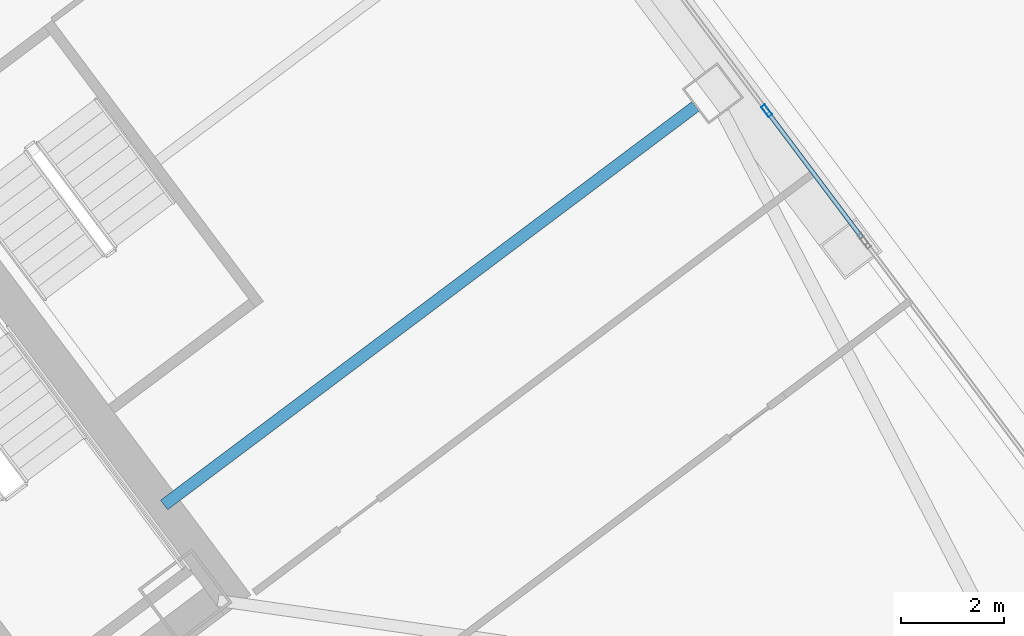
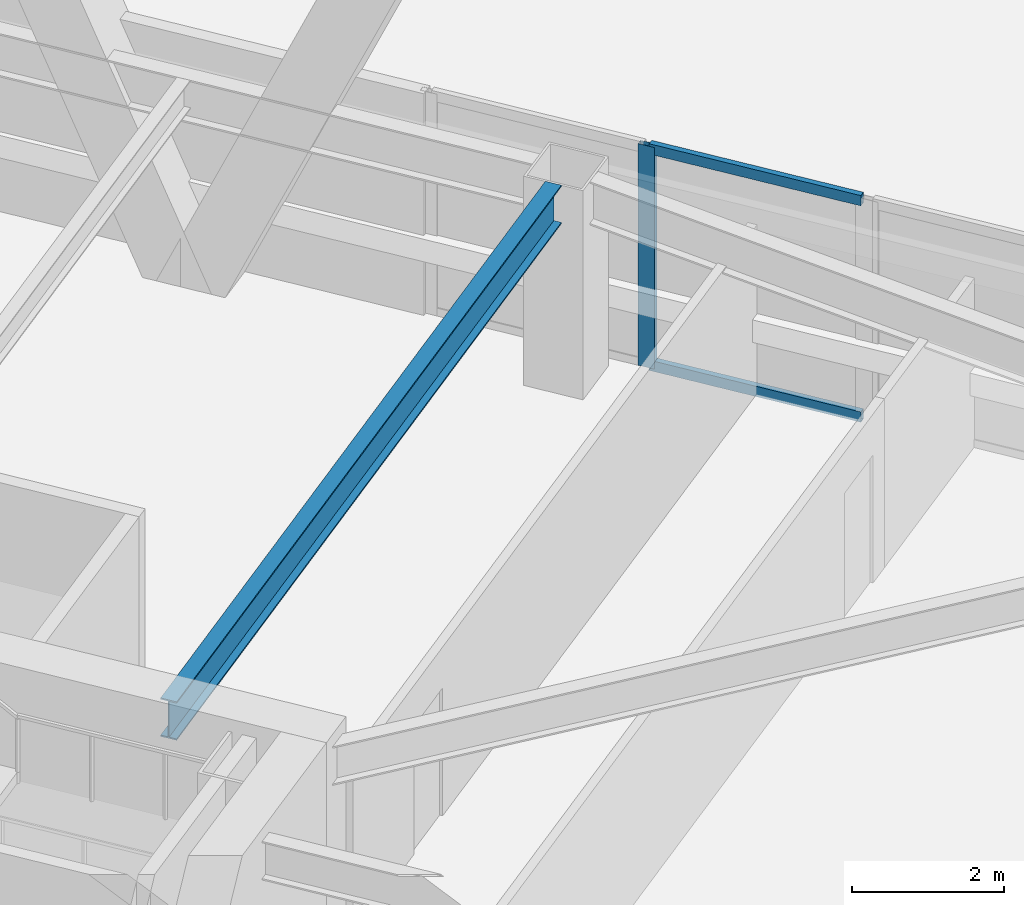
# One storey, part 62 of 83: 3 members, 1 beam, 1 element without a shape of its own.
"""IFC4 building model written with IfcOpenShell, lengths in metres."""

import ifcopenshell
import ifcopenshell.guid

model = None  # the IFC model being written
_history = None  # IfcOwnerHistory: only IFC2X3 demands one
_inside = {}  # id of a spatial element -> (the spatial element, [elements in it])
_under = {}  # id of a project, library or spatial element -> (it, [spatial elements below it])
_declared = {}  # id of a project -> (the project, [libraries it declares])
_typed = {}  # id of a type object -> (the type object, [elements of that type])
_made_of = {}  # id of a material, layer set ... -> (it, [elements and type objects made of it])


def new_model(schema):
    """Start an empty IFC model of exactly this schema.

    Asked for "IFC4X3", IfcOpenShell would pick the latest addendum, in which some entities
    have other attributes; the version numbers below select the first issue.
    IFC2X3 requires an IfcOwnerHistory on every rooted entity: one is made here for all.
    """
    global model, _history
    if schema == "IFC4X3":
        model = ifcopenshell.file(schema_version=(4, 3, 0, 0))
    else:
        model = ifcopenshell.file(schema=schema)
    _inside.clear()
    _under.clear()
    _declared.clear()
    _typed.clear()
    _made_of.clear()
    _history = None
    if model.schema == "IFC2X3":
        org = make("IfcOrganization", Name="unknown")
        user = make(
            "IfcPersonAndOrganization",
            ThePerson=make("IfcPerson", FamilyName="unknown"),
            TheOrganization=org,
        )
        app = make(
            "IfcApplication",
            ApplicationDeveloper=org,
            Version="unknown",
            ApplicationFullName="unknown",
            ApplicationIdentifier="unknown",
        )
        _history = make(
            "IfcOwnerHistory",
            OwningUser=user,
            OwningApplication=app,
            ChangeAction="ADDED",
            CreationDate=0,
        )
    return model


def make(cls, **values):
    """One entity of the class cls with the attributes given. An attribute that is None is left unset."""
    return model.create_entity(
        cls, **{name: value for name, value in values.items() if value is not None}
    )


def rooted(cls, **values):
    """An entity with a GlobalId (a new one), such as an element, a storey or a relation."""
    return make(cls, GlobalId=ifcopenshell.guid.new(), OwnerHistory=_history, **values)


def si_unit(unit_type, name, prefix=None):
    """IfcSIUnit, for example si_unit("LENGTHUNIT", "METRE", prefix="MILLI")."""
    return make("IfcSIUnit", UnitType=unit_type, Prefix=prefix, Name=name)


def assignment(units):
    """IfcUnitAssignment: the units of a project."""
    return None if units is None else make("IfcUnitAssignment", Units=units)


def point(xyz):
    """IfcCartesianPoint."""
    return None if xyz is None else make("IfcCartesianPoint", Coordinates=xyz)


def direction(xyz):
    """IfcDirection."""
    return None if xyz is None else make("IfcDirection", DirectionRatios=xyz)


def frame(location, z_axis=None, x_axis=None):
    """IfcAxis2Placement3D, a coordinate frame: its origin and axes. An axis left out is left unset."""
    return make(
        "IfcAxis2Placement3D",
        Location=point(location),
        Axis=direction(z_axis),
        RefDirection=direction(x_axis),
    )


def frame_2d(location, x_axis=None):
    """IfcAxis2Placement2D, a coordinate frame in the plane: its origin and x axis."""
    return make(
        "IfcAxis2Placement2D", Location=point(location), RefDirection=direction(x_axis)
    )


def origin():
    """The frame at (0, 0, 0) with its axes left unset."""
    return frame((0.0, 0.0, 0.0))


def origin_2d():
    """The frame at (0, 0) in the plane with its x axis left unset."""
    return frame_2d((0.0, 0.0))


def place(relative_to, where):
    """IfcLocalPlacement: puts the frame where relative to a parent placement (None: the world)."""
    return make(
        "IfcLocalPlacement", PlacementRelTo=relative_to, RelativePlacement=where
    )


def context(
    kind, dimensions, precision=None, world=None, true_north=None, identifier=None
):
    """IfcGeometricRepresentationContext, for example the 3D "Model" context."""
    return make(
        "IfcGeometricRepresentationContext",
        ContextIdentifier=identifier,
        ContextType=kind,
        CoordinateSpaceDimension=dimensions,
        Precision=precision,
        WorldCoordinateSystem=world,
        TrueNorth=true_north,
    )


def subcontext(parent, identifier, kind, view, scale=None):
    """IfcGeometricRepresentationSubContext, for example "Body" below "Model"."""
    return make(
        "IfcGeometricRepresentationSubContext",
        ContextIdentifier=identifier,
        ContextType=kind,
        ParentContext=parent,
        TargetScale=scale,
        TargetView=view,
    )


def project(units=None, contexts=None):
    """IfcProject with its units and contexts."""
    return rooted(
        "IfcProject",
        Name="project",
        RepresentationContexts=contexts,
        UnitsInContext=assignment(units),
    )


def spatial(cls, under=None, at=None, **own):
    """A site, building, storey or space (cls), placed at a placement, below another one or the project."""
    s = rooted(cls, ObjectPlacement=at, **own)
    if under is not None:
        _under.setdefault(under.id(), (under, []))[1].append(s)
    return s


def profile(cls, at=None, kind="AREA", **sizes):
    """A parametric profile (cls). Its sizes go by their IFC names, for example OverallWidth=200.0."""
    return make(cls, ProfileType=kind, Position=at, **sizes)


def hollow_rectangle(**sizes):
    """IfcRectangleHollowProfileDef."""
    return profile("IfcRectangleHollowProfileDef", **sizes)


def i_section(**sizes):
    """IfcIShapeProfileDef."""
    return profile("IfcIShapeProfileDef", **sizes)


def extrude(swept, where, along, depth):
    """IfcExtrudedAreaSolid: the profile swept, set in the frame where, extruded along a direction by depth."""
    return make(
        "IfcExtrudedAreaSolid",
        SweptArea=swept,
        Position=where,
        ExtrudedDirection=direction(along),
        Depth=depth,
    )


def shape(context_of_items, identifier, shape_type, items):
    """IfcShapeRepresentation: the items that make up one representation, for example the "Body"."""
    return make(
        "IfcShapeRepresentation",
        ContextOfItems=context_of_items,
        RepresentationIdentifier=identifier,
        RepresentationType=shape_type,
        Items=items,
    )


def material(Name=None, Category=None):
    """IfcMaterial."""
    return make("IfcMaterial", Name=Name, Category=Category)


def material_profile(
    of_material, cross_section, Name=None, Category=None, Priority=None
):
    """IfcMaterialProfile: a cross section and its material."""
    return make(
        "IfcMaterialProfile",
        Name=Name,
        Material=of_material,
        Profile=cross_section,
        Priority=Priority,
        Category=Category,
    )


def profile_set(profiles, Name=None, composite=None):
    """IfcMaterialProfileSet."""
    return make(
        "IfcMaterialProfileSet",
        Name=Name,
        MaterialProfiles=profiles,
        CompositeProfile=composite,
    )


def made_of(thing, what):
    """Note that an element or type object is made of a material, layer set ...; save() writes the relation."""
    if what is not None:
        _made_of.setdefault(what.id(), (what, []))[1].append(thing)
    return thing


def type_object(cls, material=None, **own):
    """A type object (cls), such as IfcWallType, which elements share."""
    return made_of(rooted(cls, **own), material)


def element(
    cls,
    number,
    at=None,
    inside=None,
    cuts=None,
    type_object=None,
    material=None,
    context=None,
    identifier="Body",
    shape_type=None,
    held_by="IfcProductDefinitionShape",
    body=None,
    shapes=None,
    **own,
):
    """One element of the class cls, such as IfcWall. Its Tag is "e" and its number.

    at: its placement. inside: the storey or other place that contains it. cuts: it is an
    opening in that element (IfcRelVoidsElement). A single representation is given by context,
    identifier, shape_type and body (its items); several are given by shapes. held_by: the class
    of the entity that holds the representations. save() writes the other relations.
    """
    e = rooted(cls, Tag="e%d" % number, ObjectPlacement=at, **own)
    if body is not None:
        shapes = [shape(context, identifier, shape_type, body)]
    if shapes is not None:
        e.Representation = make(held_by, Representations=shapes)
    if inside is not None:
        _inside.setdefault(inside.id(), (inside, []))[1].append(e)
    if cuts is not None:
        rooted(
            "IfcRelVoidsElement", RelatingBuildingElement=cuts, RelatedOpeningElement=e
        )
    if type_object is not None:
        _typed.setdefault(type_object.id(), (type_object, []))[1].append(e)
    return made_of(e, material)


def aggregate(whole, parts):
    """IfcRelAggregates: a whole, such as a stair, and the parts it consists of."""
    return rooted("IfcRelAggregates", RelatingObject=whole, RelatedObjects=parts)


def save(model, path):
    """Write the relations noted so far, then the file.

    IfcRelAggregates (storeys below a building ...), IfcRelContainedInSpatialStructure (elements
    in a storey), IfcRelDefinesByType, IfcRelAssociatesMaterial and IfcRelDeclares: one each for
    every whole, place, type object, material and project.
    """
    for whole, parts in _under.values():
        aggregate(whole, parts)
    for where, things in _inside.values():
        rooted(
            "IfcRelContainedInSpatialStructure",
            RelatedElements=things,
            RelatingStructure=where,
        )
    for kind, things in _typed.values():
        rooted("IfcRelDefinesByType", RelatedObjects=things, RelatingType=kind)
    for what, things in _made_of.values():
        rooted("IfcRelAssociatesMaterial", RelatedObjects=things, RelatingMaterial=what)
    for by, libraries in _declared.values():
        rooted("IfcRelDeclares", RelatingContext=by, RelatedDefinitions=libraries)
    model.write(path)


model = new_model("IFC4")

# Units and contexts
model_context = context("Model", 3, precision=1e-05, world=origin(), true_north=direction((0.0, 1.0)))
body_context = subcontext(model_context, "Body", "Model", "MODEL_VIEW")
ifc_project = project(units=[si_unit("LENGTHUNIT", "METRE"), si_unit("AREAUNIT", "SQUARE_METRE"), si_unit("VOLUMEUNIT", "CUBIC_METRE"), si_unit("PLANEANGLEUNIT", "RADIAN"), si_unit("MASSUNIT", "GRAM", prefix="KILO")], contexts=[model_context])

# Site, building, storey
site_placement = place(None, origin())
site = spatial("IfcSite", under=ifc_project, at=site_placement, CompositionType="ELEMENT")
building_placement = place(site_placement, origin())
building = spatial("IfcBuilding", under=site, at=building_placement, Name="Tashvorn Skyway Center", CompositionType="ELEMENT")
storey_placement = place(building_placement, frame((0.0, 0.0, 24.60009765625)))
storey = spatial("IfcBuildingStorey", under=building, at=storey_placement, Name="L05", CompositionType="ELEMENT", Elevation=24.60009765625)

# Beam
ifc_material_1 = material(Name="Steel ASTM A992 Grade 50", Category="steel")
ifc_material_profile_1 = material_profile(ifc_material_1, i_section(OverallWidth=0.22998046875, OverallDepth=0.616943359375, WebThickness=0.01318359375, FlangeThickness=0.022216796875, at=origin_2d()), Name="W24X94")
ifc_profile_set_1 = profile_set([ifc_material_profile_1], Name="Steel ASTM A992 Grade 50")
beam_type = type_object("IfcBeamType", Name="BM-BEAM-W24X94", PredefinedType="BEAM", material=ifc_profile_set_1)
beam_placement = place(storey_placement, frame((133.743896484375, 40.05810546875, 3.04150390625), z_axis=(-0.799986320265, -0.600018239213, 0.0), x_axis=(0.600018239213, -0.799986320265, 0.0)))
element("IfcBeam", 1, at=beam_placement, inside=storey, type_object=beam_type, Name="Tower 2 L05 Primary Floor Girder FC-E1", PredefinedType="BEAM", context=body_context, shape_type="SweptSolid", body=[
    extrude(i_section(OverallWidth=0.22998046875, OverallDepth=0.616943359375, WebThickness=0.01318359375, FlangeThickness=0.022216796875, at=origin_2d()), origin(), (0.0, 0.0, 1.0), 12.849853515625),
])

# Curtain wall, members
ifc_material_2 = material(Name="Thermally broken bronze-anodized aluminium 6063-T6", Category="aluminium")
curtain_wall_type = type_object("IfcCurtainWallType", Name="CW-CW-Z1", PredefinedType="NOTDEFINED", material=ifc_material_2)
curtain_wall_placement = place(storey_placement, origin())
curtain_wall = element("IfcCurtainWall", 2, at=curtain_wall_placement, inside=storey, type_object=curtain_wall_type, Name="Tower 2 L05 East Unitised Curtain Wall Glazing Group 3", PredefinedType="NOTDEFINED")
ifc_material_profile_2 = material_profile(ifc_material_2, hollow_rectangle(XDim=0.0849609375, YDim=0.239990234375, WallThickness=0.0048828125, at=origin_2d()), Name="ALU-MULL-85x240")
ifc_profile_set_2 = profile_set([ifc_material_profile_2], Name="Thermally broken bronze-anodized aluminium 6063-T6")
member_type_1 = type_object("IfcMemberType", Name="CWM-CW-Z1", PredefinedType="MULLION", material=ifc_profile_set_2)
member_1_placement = place(storey_placement, frame((135.1201171875, 39.973388671875, 0.0), z_axis=(0.0, 0.0, 1.0), x_axis=(0.800001906763, 0.599997457641, 0.0)))
member_1 = element("IfcMember", 3, at=member_1_placement, type_object=member_type_1, Name="CW-Z1 mullion 2", PredefinedType="MULLION", context=body_context, shape_type="SweptSolid", body=[
    extrude(hollow_rectangle(XDim=0.0849609375, YDim=0.239990234375, WallThickness=0.0048828125, at=origin_2d()), origin(), (0.0, 0.0, 1.0), 3.5498046875),
])
ifc_material_profile_3 = material_profile(ifc_material_2, hollow_rectangle(XDim=0.0849609375, YDim=0.1650390625, WallThickness=0.0048828125, at=origin_2d()), Name="ALU-TRAN-85x165")
ifc_profile_set_3 = profile_set([ifc_material_profile_3], Name="Thermally broken bronze-anodized aluminium 6063-T6")
member_type_2 = type_object("IfcMemberType", Name="CWT-CW-Z1", PredefinedType="USERDEFINED", material=ifc_profile_set_3)
member_2_placement = place(storey_placement, frame((135.1455078125, 39.939453125, 0.04248046875), z_axis=(0.599974124791, -0.800019405753, 0.0), x_axis=(0.800019405753, 0.599974124791, 0.0)))
member_2 = element("IfcMember", 4, at=member_2_placement, type_object=member_type_2, Name="CW-Z1 transom 2.1", ObjectType="TRANSOM", PredefinedType="USERDEFINED", context=body_context, shape_type="SweptSolid", body=[
    extrude(hollow_rectangle(XDim=0.0849609375, YDim=0.1650390625, WallThickness=0.0048828125, at=origin_2d()), origin(), (0.0, 0.0, 1.0), 3.019287109375),
])
member_3_placement = place(storey_placement, frame((135.1455078125, 39.939453125, 3.50732421875), z_axis=(0.599974124791, -0.800019405753, 0.0), x_axis=(0.800019405753, 0.599974124791, 0.0)))
member_3 = element("IfcMember", 5, at=member_3_placement, type_object=member_type_2, Name="CW-Z1 transom 2.2", ObjectType="TRANSOM", PredefinedType="USERDEFINED", context=body_context, shape_type="SweptSolid", body=[
    extrude(hollow_rectangle(XDim=0.0849609375, YDim=0.1650390625, WallThickness=0.0048828125, at=origin_2d()), origin(), (0.0, 0.0, 1.0), 3.019287109375),
])
aggregate(curtain_wall, [member_1, member_2, member_3])

save(model, "model.ifc")
